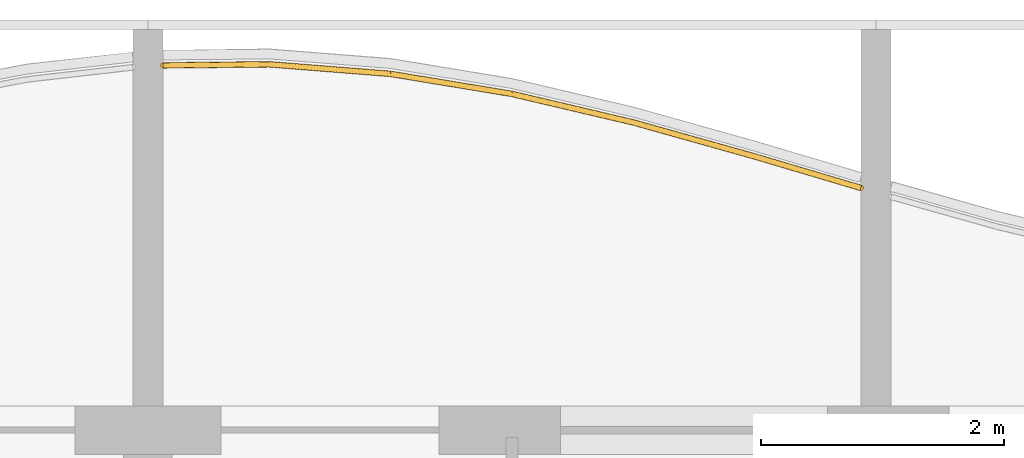
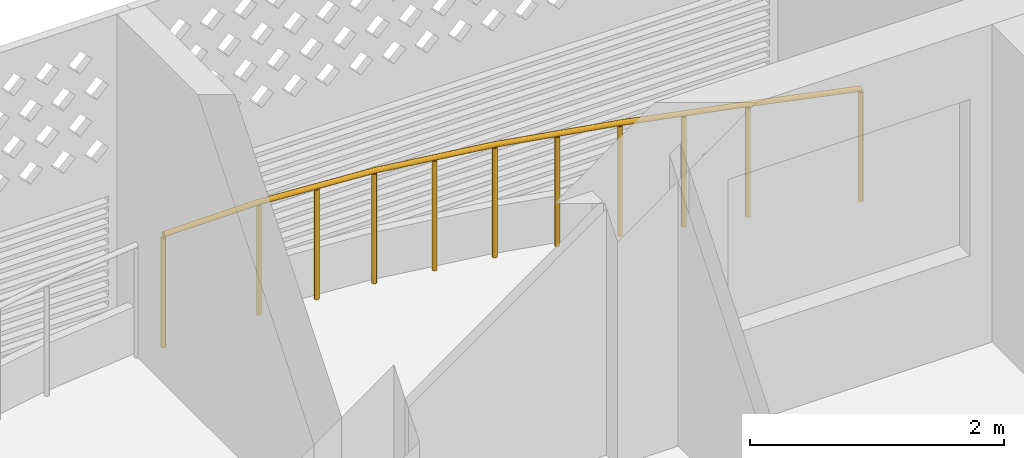
# One storey, part 31 of 39: 1 railing.
"""IFC4 building model written with IfcOpenShell, lengths in metres."""

from ifc_helpers import new_model, si_unit, direction, frame, origin, origin_2d, place, context, subcontext, project, spatial, circle, extrude, material, type_object, element, save


model = new_model("IFC4")

# Units and contexts
model_context = context("Model", 3, precision=1e-05, world=origin(), true_north=direction((0.0, 1.0)))
body_context = subcontext(model_context, "Body", "Model", "MODEL_VIEW")
ifc_project = project(units=[si_unit("LENGTHUNIT", "METRE"), si_unit("AREAUNIT", "SQUARE_METRE"), si_unit("VOLUMEUNIT", "CUBIC_METRE"), si_unit("PLANEANGLEUNIT", "RADIAN"), si_unit("MASSUNIT", "GRAM", prefix="KILO")], contexts=[model_context])

# Site, building, storey
site_placement = place(None, origin())
site = spatial("IfcSite", under=ifc_project, at=site_placement, CompositionType="ELEMENT")
building_placement = place(site_placement, origin())
building = spatial("IfcBuilding", under=site, at=building_placement, Name="Poui Terraces", CompositionType="ELEMENT")
storey_placement = place(building_placement, frame((0.0, 0.0, 59.699951171875)))
storey = spatial("IfcBuildingStorey", under=building, at=storey_placement, Name="L16", CompositionType="ELEMENT", Elevation=59.699951171875)

# Railing
ifc_material = material(Name="Painted steel fretwork", Category="steel")
railing_type = type_object("IfcRailingType", Name="BALCONY GUARD 1100", PredefinedType="GUARDRAIL", material=ifc_material)
railing_placement = place(storey_placement, frame((60.125, 47.805908203125, 0.0)))
element("IfcRailing", 1, at=railing_placement, inside=storey, type_object=railing_type, Name="BALCONY GUARD", PredefinedType="GUARDRAIL", context=body_context, shape_type="SweptSolid", body=[
    extrude(circle(Radius=0.02392578125, at=origin_2d()), frame((0.0, 0.0, 1.076171875), z_axis=(0.999949556392, 0.010044136169, 0.0), x_axis=(-0.010044136169, 0.999949556392, 0.0)), (0.0, 0.0, 1.0), 0.875),
    extrude(circle(Radius=0.02392578125, at=origin_2d()), frame((0.875, 0.0087890625, 1.076171875), z_axis=(0.996905179889, -0.07861337234, 0.0), x_axis=(0.07861337234, 0.996905179889, 0.0)), (0.0, 0.0, 1.0), 1.003173828125),
    extrude(circle(Radius=0.02392578125, at=origin_2d()), frame((1.875, -0.070068359375, 1.076171875), z_axis=(0.98665309941, -0.162836302539, 0.0), x_axis=(0.162836302539, 0.98665309941, 0.0)), (0.0, 0.0, 1.0), 1.013427734375),
    extrude(circle(Radius=0.02392578125, at=origin_2d()), frame((2.875, -0.235107421875, 1.076171875), z_axis=(0.973457672279, -0.228867123634, 0.0), x_axis=(0.228867123634, 0.973457672279, 0.0)), (0.0, 0.0, 1.0), 1.02734375),
    extrude(circle(Radius=0.02392578125, at=origin_2d()), frame((3.875, -0.47021484375, 1.076171875), z_axis=(0.962956694383, -0.269656086049, 0.0), x_axis=(0.269656086049, 0.962956694383, 0.0)), (0.0, 0.0, 1.0), 1.03857421875),
    extrude(circle(Radius=0.02392578125, at=origin_2d()), frame((4.875, -0.750244140625, 1.076171875), z_axis=(0.958646866278, -0.284598288426, 0.0), x_axis=(0.284598288426, 0.958646866278, 0.0)), (0.0, 0.0, 1.0), 0.912841796875),
    extrude(circle(Radius=0.02099609375, at=origin_2d()), origin(), (0.0, 0.0, 1.0), 1.052001953125),
    extrude(circle(Radius=0.02099609375, at=origin_2d()), frame((0.875, 0.0087890625, 0.0)), (0.0, 0.0, 1.0), 1.052001953125),
    extrude(circle(Radius=0.02099609375, at=origin_2d()), frame((1.375, -0.03076171875, 0.0)), (0.0, 0.0, 1.0), 1.052001953125),
    extrude(circle(Radius=0.02099609375, at=origin_2d()), frame((1.875, -0.070068359375, 0.0)), (0.0, 0.0, 1.0), 1.052001953125),
    extrude(circle(Radius=0.02099609375, at=origin_2d()), frame((2.375, -0.152587890625, 0.0)), (0.0, 0.0, 1.0), 1.052001953125),
    extrude(circle(Radius=0.02099609375, at=origin_2d()), frame((2.875, -0.235107421875, 0.0)), (0.0, 0.0, 1.0), 1.052001953125),
    extrude(circle(Radius=0.02099609375, at=origin_2d()), frame((3.375, -0.3525390625, 0.0)), (0.0, 0.0, 1.0), 1.052001953125),
    extrude(circle(Radius=0.02099609375, at=origin_2d()), frame((3.875, -0.47021484375, 0.0)), (0.0, 0.0, 1.0), 1.052001953125),
    extrude(circle(Radius=0.02099609375, at=origin_2d()), frame((4.375, -0.6103515625, 0.0)), (0.0, 0.0, 1.0), 1.052001953125),
    extrude(circle(Radius=0.02099609375, at=origin_2d()), frame((4.875, -0.750244140625, 0.0)), (0.0, 0.0, 1.0), 1.052001953125),
    extrude(circle(Radius=0.02099609375, at=origin_2d()), frame((5.75, -1.010009765625, 0.0)), (0.0, 0.0, 1.0), 1.052001953125),
])

save(model, "model.ifc")
